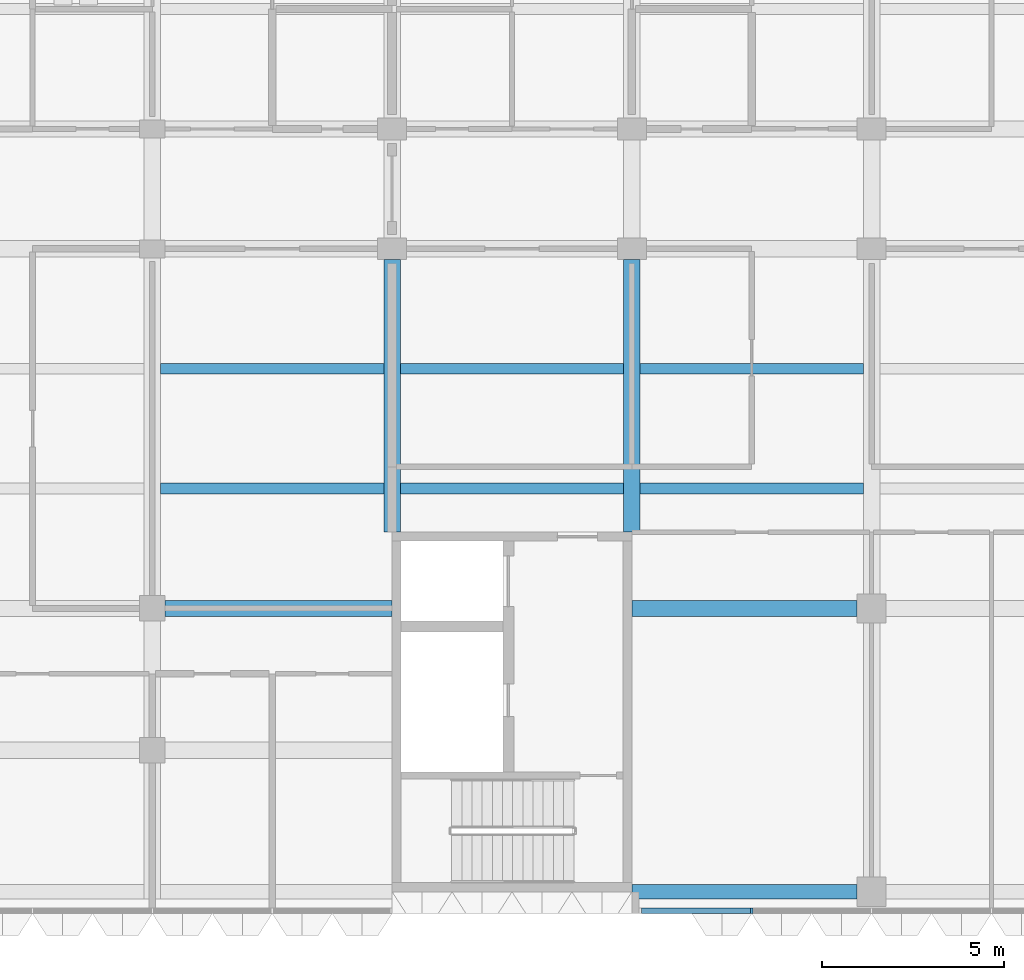
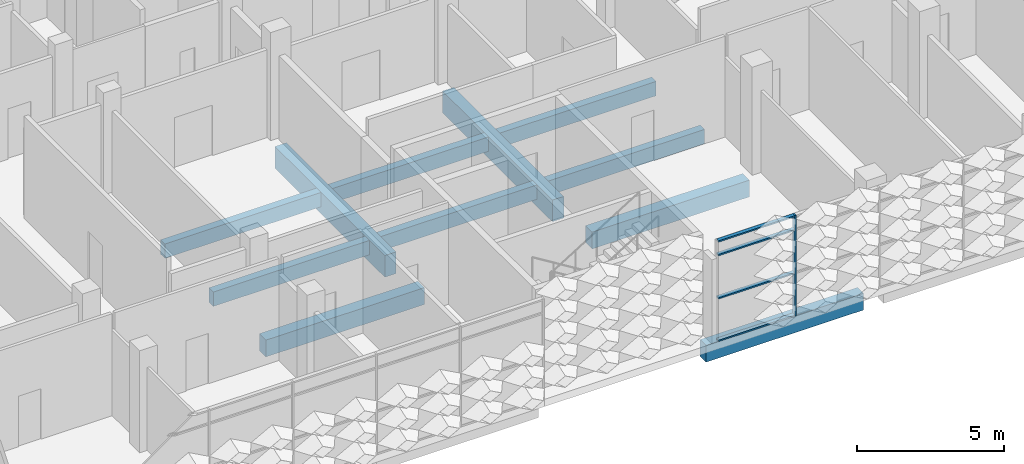
# One storey, part 7 of 61: 11 beams, 5 members, 1 element without a shape of its own.
"""IFC4 building model written with IfcOpenShell, lengths in metres."""

from ifc_helpers import new_model, si_unit, direction, frame, origin, origin_2d, place, context, subcontext, project, spatial, rectangle, extrude, material, material_profile, profile_set, type_object, element, aggregate, save


model = new_model("IFC4")

# Units and contexts
model_context = context("Model", 3, precision=1e-05, world=origin(), true_north=direction((0.0, 1.0)))
body_context = subcontext(model_context, "Body", "Model", "MODEL_VIEW")
ifc_project = project(units=[si_unit("LENGTHUNIT", "METRE"), si_unit("AREAUNIT", "SQUARE_METRE"), si_unit("VOLUMEUNIT", "CUBIC_METRE"), si_unit("PLANEANGLEUNIT", "RADIAN"), si_unit("MASSUNIT", "GRAM", prefix="KILO")], contexts=[model_context])

# Site, building, storey
site_placement = place(None, origin())
site = spatial("IfcSite", under=ifc_project, at=site_placement, CompositionType="ELEMENT")
building_placement = place(site_placement, origin())
building = spatial("IfcBuilding", under=site, at=building_placement, Name="Lantern Court Research Institute", CompositionType="ELEMENT")
storey_placement = place(building_placement, frame((0.0, 0.0, 23.39990234375)))
storey = spatial("IfcBuildingStorey", under=building, at=storey_placement, Name="L05", CompositionType="ELEMENT", Elevation=23.39990234375)

# Curtain wall, member
ifc_material_1 = material(Name="Aluminium alloy 6063-T6", Category="aluminium")
curtain_wall_type = type_object("IfcCurtainWallType", Name="Curtain wall 20200 x 4200 x 150 aluminium frame", PredefinedType="NOTDEFINED", material=ifc_material_1)
curtain_wall_placement = place(storey_placement, origin())
curtain_wall = element("IfcCurtainWall", 1, at=curtain_wall_placement, inside=storey, type_object=curtain_wall_type, Name="Curtain wall CW076", PredefinedType="NOTDEFINED")
ifc_material_2 = material(Name="Aluminium alloy 6063-T6", Category="aluminium")
ifc_material_profile_1 = material_profile(ifc_material_2, rectangle(XDim=0.14990234375, YDim=0.06005859375, at=origin_2d()), Name="Mullion 150 x 60")
ifc_profile_set_1 = profile_set([ifc_material_profile_1], Name="Aluminium alloy 6063-T6")
member_type_1 = type_object("IfcMemberType", Name="Mullion 150 x 60 aluminium", PredefinedType="MULLION", material=ifc_profile_set_1)
member_1_placement = place(storey_placement, frame((62.699951171875, -8.324951171875, 0.0), z_axis=(0.0, 0.0, 1.0), x_axis=(0.0, -1.0, 0.0)))
member_1 = element("IfcMember", 2, at=member_1_placement, type_object=member_type_1, Name="CW076 mullion 2", PredefinedType="MULLION", context=body_context, shape_type="SweptSolid", body=[
    extrude(rectangle(XDim=0.14990234375, YDim=0.06005859375, at=origin_2d()), origin(), (0.0, 0.0, 1.0), 4.2001953125),
])

# Beams
ifc_material_3 = material(Name="Concrete C40/50", Category="concrete")
ifc_material_profile_2 = material_profile(ifc_material_3, rectangle(XDim=0.449951171875, YDim=0.699951171875, at=origin_2d()), Name="RC beam 450 x 700")
ifc_profile_set_2 = profile_set([ifc_material_profile_2], Name="Concrete C40/50")
beam_type_1 = type_object("IfcBeamType", Name="RC beam 450 x 700", PredefinedType="BEAM", material=ifc_profile_set_2)
beam_1_placement = place(storey_placement, frame((46.550048828125, 0.0, -0.64990234375), z_axis=(1.0, 0.0, 0.0), x_axis=(0.0, 1.0, 0.0)))
element("IfcBeam", 3, at=beam_1_placement, inside=storey, type_object=beam_type_1, Name="Beam L05 grid A/8-9", PredefinedType="BEAM", context=body_context, shape_type="SweptSolid", body=[
    extrude(rectangle(XDim=0.449951171875, YDim=0.699951171875, at=origin_2d()), origin(), (0.0, 0.0, 1.0), 6.25),
])
beam_2_placement = place(storey_placement, frame((59.39990234375, 0.0, -0.64990234375), z_axis=(1.0, 0.0, 0.0), x_axis=(0.0, 1.0, 0.0)))
element("IfcBeam", 4, at=beam_2_placement, inside=storey, type_object=beam_type_1, Name="Beam L05 grid A/10-11", PredefinedType="BEAM", context=body_context, shape_type="SweptSolid", body=[
    extrude(rectangle(XDim=0.449951171875, YDim=0.699951171875, at=origin_2d()), origin(), (0.0, 0.0, 1.0), 6.2001953125),
])
ifc_material_4 = material(Name="Concrete C40/50", Category="concrete")
ifc_material_profile_3 = material_profile(ifc_material_4, rectangle(XDim=0.39990234375, YDim=0.699951171875, at=origin_2d()), Name="RC beam 400 x 700")
ifc_profile_set_3 = profile_set([ifc_material_profile_3], Name="Concrete C40/50")
beam_type_2 = type_object("IfcBeamType", Name="RC edge beam 400 x 700", PredefinedType="BEAM", material=ifc_profile_set_3)
beam_3_placement = place(storey_placement, frame((59.39990234375, -7.800048828125, -0.64990234375), z_axis=(1.0, 0.0, 0.0), x_axis=(0.0, 1.0, 0.0)))
element("IfcBeam", 5, at=beam_3_placement, inside=storey, type_object=beam_type_2, Name="Edge beam L05 grid Z/10-11", PredefinedType="BEAM", context=body_context, shape_type="SweptSolid", body=[
    extrude(rectangle(XDim=0.39990234375, YDim=0.699951171875, at=origin_2d()), origin(), (0.0, 0.0, 1.0), 6.2001953125),
])
ifc_material_5 = material(Name="Concrete C40/50", Category="concrete")
ifc_material_profile_4 = material_profile(ifc_material_5, rectangle(XDim=0.449951171875, YDim=0.89990234375, at=origin_2d()), Name="RC beam 450 x 900")
ifc_profile_set_4 = profile_set([ifc_material_profile_4], Name="Concrete C40/50")
beam_type_3 = type_object("IfcBeamType", Name="RC girder 450 x 900", PredefinedType="BEAM", material=ifc_profile_set_4)
for number, where, z_axis, x_axis, name in (
    (6, (52.800048828125, 2.10009765625, -0.75), (0.0, 1.0, 0.0), (-1.0, 0.0, 0.0), "Girder L05 grid 9/A-B"),
    (7, (59.39990234375, 2.10009765625, -0.75), (0.0, 1.0, 0.0), (-1.0, 0.0, 0.0), "Girder L05 grid 10/A-B"),
):
    element("IfcBeam", number, at=place(storey_placement, frame(where, z_axis=z_axis, x_axis=x_axis)), inside=storey, type_object=beam_type_3, Name=name, PredefinedType="BEAM", context=body_context, shape_type="SweptSolid", body=[
        extrude(rectangle(XDim=0.449951171875, YDim=0.89990234375, at=origin_2d()), origin(), (0.0, 0.0, 1.0), 7.5),
    ])
ifc_material_6 = material(Name="Concrete C40/50", Category="concrete")
ifc_material_profile_5 = material_profile(ifc_material_6, rectangle(XDim=0.300048828125, YDim=0.60009765625, at=origin_2d()), Name="RC beam 300 x 600")
ifc_profile_set_5 = profile_set([ifc_material_profile_5], Name="Concrete C40/50")
beam_type_4 = type_object("IfcBeamType", Name="RC secondary beam 300 x 600", PredefinedType="BEAM", material=ifc_profile_set_5)
for number, where, z_axis, x_axis, name in (
    (8, (46.425048828125, 3.300048828125, -0.599853515625), (1.0, 0.0, 0.0), (0.0, 1.0, 0.0), "Secondary beam L05 grids 8-9 / A-B, line 1"),
    (9, (46.425048828125, 6.60009765625, -0.599853515625), (1.0, 0.0, 0.0), (0.0, 1.0, 0.0), "Secondary beam L05 grids 8-9 / A-B, line 2"),
):
    element("IfcBeam", number, at=place(storey_placement, frame(where, z_axis=z_axis, x_axis=x_axis)), inside=storey, type_object=beam_type_4, Name=name, PredefinedType="BEAM", context=body_context, shape_type="SweptSolid", body=[
        extrude(rectangle(XDim=0.300048828125, YDim=0.60009765625, at=origin_2d()), origin(), (0.0, 0.0, 1.0), 6.14990234375),
    ])
beam_4_placement = place(storey_placement, frame((53.02490234375, 3.300048828125, -0.599853515625), z_axis=(1.0, 0.0, 0.0), x_axis=(0.0, 1.0, 0.0)))
element("IfcBeam", 10, at=beam_4_placement, inside=storey, type_object=beam_type_4, Name="Secondary beam L05 grids 9-10 / A-B, line 1", PredefinedType="BEAM", context=body_context, shape_type="SweptSolid", body=[
    extrude(rectangle(XDim=0.300048828125, YDim=0.60009765625, at=origin_2d()), origin(), (0.0, 0.0, 1.0), 6.150146484375),
])
beam_5_placement = place(storey_placement, frame((59.625, 3.300048828125, -0.599853515625), z_axis=(1.0, 0.0, 0.0), x_axis=(0.0, 1.0, 0.0)))
element("IfcBeam", 11, at=beam_5_placement, inside=storey, type_object=beam_type_4, Name="Secondary beam L05 grids 10-11 / A-B, line 1", PredefinedType="BEAM", context=body_context, shape_type="SweptSolid", body=[
    extrude(rectangle(XDim=0.300048828125, YDim=0.60009765625, at=origin_2d()), origin(), (0.0, 0.0, 1.0), 6.14990234375),
])
beam_6_placement = place(storey_placement, frame((53.02490234375, 6.60009765625, -0.599853515625), z_axis=(1.0, 0.0, 0.0), x_axis=(0.0, 1.0, 0.0)))
element("IfcBeam", 12, at=beam_6_placement, inside=storey, type_object=beam_type_4, Name="Secondary beam L05 grids 9-10 / A-B, line 2", PredefinedType="BEAM", context=body_context, shape_type="SweptSolid", body=[
    extrude(rectangle(XDim=0.300048828125, YDim=0.60009765625, at=origin_2d()), origin(), (0.0, 0.0, 1.0), 6.150146484375),
])
beam_7_placement = place(storey_placement, frame((59.625, 6.60009765625, -0.599853515625), z_axis=(1.0, 0.0, 0.0), x_axis=(0.0, 1.0, 0.0)))
element("IfcBeam", 13, at=beam_7_placement, inside=storey, type_object=beam_type_4, Name="Secondary beam L05 grids 10-11 / A-B, line 2", PredefinedType="BEAM", context=body_context, shape_type="SweptSolid", body=[
    extrude(rectangle(XDim=0.300048828125, YDim=0.60009765625, at=origin_2d()), origin(), (0.0, 0.0, 1.0), 6.14990234375),
])

# Member
ifc_material_7 = material(Name="Aluminium alloy 6063-T6", Category="aluminium")
ifc_material_profile_6 = material_profile(ifc_material_7, rectangle(XDim=0.14990234375, YDim=0.06005859375, at=origin_2d()), Name="Transom 150 x 60")
ifc_profile_set_6 = profile_set([ifc_material_profile_6], Name="Aluminium alloy 6063-T6")
member_type_2 = type_object("IfcMemberType", Name="Transom 150 x 60 aluminium", PredefinedType="USERDEFINED", material=ifc_profile_set_6)
member_2_placement = place(storey_placement, frame((62.669921875, -8.324951171875, 0.030029296875), z_axis=(-1.0, 0.0, 0.0), x_axis=(0.0, -1.0, 0.0)))
member_2 = element("IfcMember", 14, at=member_2_placement, type_object=member_type_2, Name="CW076 transom 1.1", ObjectType="TRANSOM", PredefinedType="USERDEFINED", context=body_context, shape_type="SweptSolid", body=[
    extrude(rectangle(XDim=0.14990234375, YDim=0.06005859375, at=origin_2d()), origin(), (0.0, 0.0, 1.0), 3.010009765625),
])

member_3_placement = place(storey_placement, frame((62.669921875, -8.324951171875, 1.800048828125), z_axis=(-1.0, 0.0, 0.0), x_axis=(0.0, -1.0, 0.0)))
member_3 = element("IfcMember", 15, at=member_3_placement, type_object=member_type_2, Name="CW076 transom 1.2", ObjectType="TRANSOM", PredefinedType="USERDEFINED", context=body_context, shape_type="SweptSolid", body=[
    extrude(rectangle(XDim=0.14990234375, YDim=0.06005859375, at=origin_2d()), origin(), (0.0, 0.0, 1.0), 3.010009765625),
])

member_4_placement = place(storey_placement, frame((62.669921875, -8.324951171875, 3.60009765625), z_axis=(-1.0, 0.0, 0.0), x_axis=(0.0, -1.0, 0.0)))
member_4 = element("IfcMember", 16, at=member_4_placement, type_object=member_type_2, Name="CW076 transom 1.3", ObjectType="TRANSOM", PredefinedType="USERDEFINED", context=body_context, shape_type="SweptSolid", body=[
    extrude(rectangle(XDim=0.14990234375, YDim=0.06005859375, at=origin_2d()), origin(), (0.0, 0.0, 1.0), 3.010009765625),
])

member_5_placement = place(storey_placement, frame((62.669921875, -8.324951171875, 4.170166015625), z_axis=(-1.0, 0.0, 0.0), x_axis=(0.0, -1.0, 0.0)))
member_5 = element("IfcMember", 17, at=member_5_placement, type_object=member_type_2, Name="CW076 transom 1.4", ObjectType="TRANSOM", PredefinedType="USERDEFINED", context=body_context, shape_type="SweptSolid", body=[
    extrude(rectangle(XDim=0.14990234375, YDim=0.06005859375, at=origin_2d()), origin(), (0.0, 0.0, 1.0), 3.010009765625),
])

aggregate(curtain_wall, [member_1, member_2, member_3, member_4, member_5])

save(model, "model.ifc")
